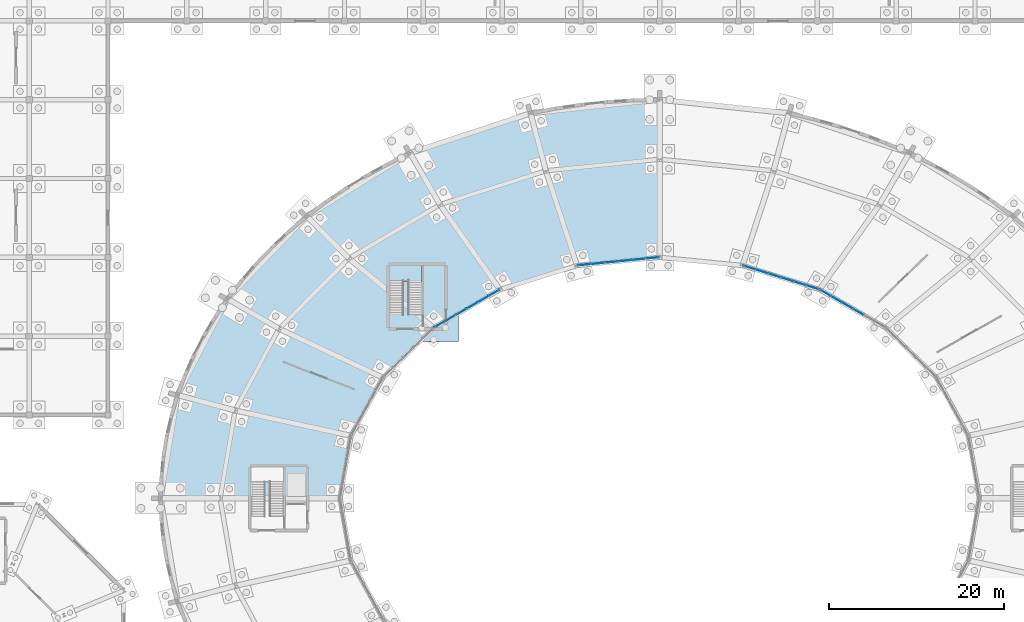
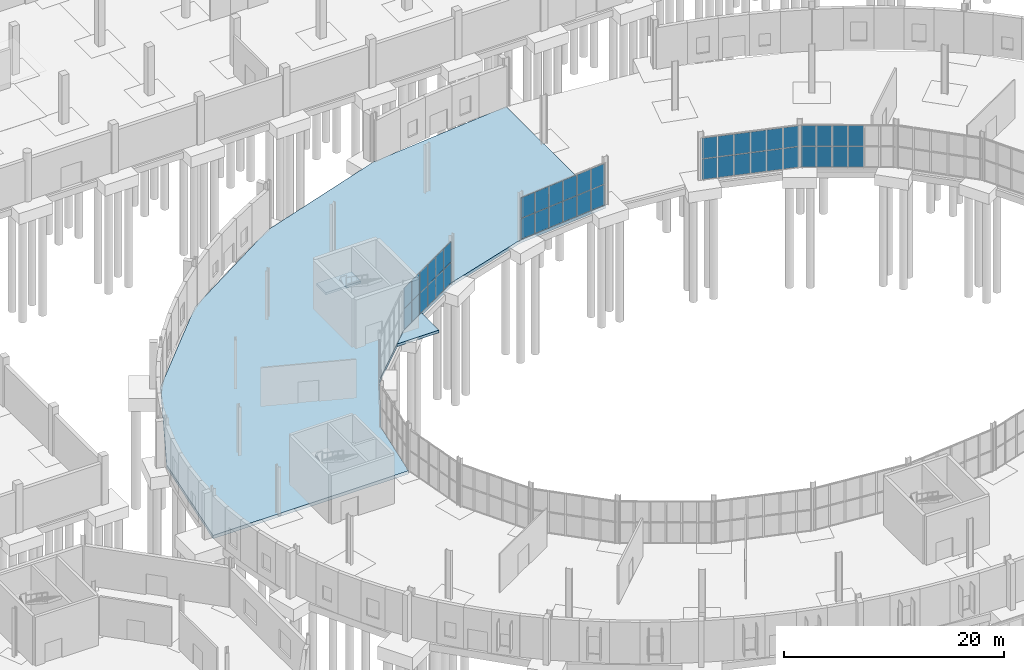
# One storey, part 74 of 118: 44 plates, 3 slabs, 5 elements without a shape of their own.
"""IFC4 building model written with IfcOpenShell, lengths in metres."""

from ifc_helpers import new_model, si_unit, direction, frame, origin, origin_2d, place, context, subcontext, project, spatial, polyline, rectangle, outline, extrude, material, layer, layer_set, type_object, element, aggregate, save


model = new_model("IFC4")

# Units and contexts
model_context = context("Model", 3, precision=1e-05, world=origin(), true_north=direction((0.0, 1.0)))
body_context = subcontext(model_context, "Body", "Model", "MODEL_VIEW")
ifc_project = project(units=[si_unit("LENGTHUNIT", "METRE"), si_unit("AREAUNIT", "SQUARE_METRE"), si_unit("VOLUMEUNIT", "CUBIC_METRE"), si_unit("PLANEANGLEUNIT", "RADIAN"), si_unit("MASSUNIT", "GRAM", prefix="KILO")], contexts=[model_context])

# Site, building, storey
site_placement = place(None, origin())
site = spatial("IfcSite", under=ifc_project, at=site_placement, CompositionType="ELEMENT")
building_placement = place(site_placement, origin())
building = spatial("IfcBuilding", under=site, at=building_placement, Name="Kildeholm Park Wholesale Market", CompositionType="ELEMENT")
storey_placement = place(building_placement, origin())
storey = spatial("IfcBuildingStorey", under=building, at=storey_placement, Name="L00", CompositionType="ELEMENT", Elevation=0.0)

# Curtain wall, plates
ifc_material_1 = material(Name="Anodised aluminium and low-E double-glazed glass", Category="aluminium")
curtain_wall_type = type_object("IfcCurtainWallType", Name="Market hall glazed arcade stick curtain wall CW-01", PredefinedType="NOTDEFINED", material=ifc_material_1)
curtain_wall_1_placement = place(storey_placement, origin())
curtain_wall_1 = element("IfcCurtainWall", 1, at=curtain_wall_1_placement, inside=storey, type_object=curtain_wall_type, Name="Curtain wall CW-V1-IN0-03 CW-0018", PredefinedType="NOTDEFINED")
ifc_material_2 = material(Name="Double-glazed low-E insulated glass", Category="glass")
ifc_layer_1 = layer(ifc_material_2, 0.028076171875)
ifc_layer_set_1 = layer_set([ifc_layer_1], Name="Double-glazed low-E insulated glass")
plate_type = type_object("IfcPlateType", Name="Curtain-wall panel CWP-1 28 mm", PredefinedType="CURTAIN_PANEL", material=ifc_layer_set_1)
plate_1_placement = place(storey_placement, frame((121.6572265625, 110.773193359375, 0.06494140625), z_axis=(0.0, 0.0, 1.0), x_axis=(-0.865742656621, 0.500489412982, 0.0)))
plate_1 = element("IfcPlate", 2, at=plate_1_placement, type_object=plate_type, Name="CW-01 panel 3.1 PLT-0392", PredefinedType="CURTAIN_PANEL", context=body_context, shape_type="SweptSolid", body=[
    extrude(rectangle(XDim=1.376953125, YDim=0.028076171875, at=origin_2d()), origin(), (0.0, 0.0, 1.0), 2.25244140625),
])
plate_2_placement = place(storey_placement, frame((121.6572265625, 110.773193359375, 2.382568359375), z_axis=(0.0, 0.0, 1.0), x_axis=(-0.865742656621, 0.500489412982, 0.0)))
plate_2 = element("IfcPlate", 3, at=plate_2_placement, type_object=plate_type, Name="CW-01 panel 3.2 PLT-0393", PredefinedType="CURTAIN_PANEL", context=body_context, shape_type="SweptSolid", body=[
    extrude(rectangle(XDim=1.376953125, YDim=0.028076171875, at=origin_2d()), origin(), (0.0, 0.0, 1.0), 2.25244140625),
])
plate_3_placement = place(storey_placement, frame((120.408935546875, 111.494873046875, 0.06494140625), z_axis=(0.0, 0.0, 1.0), x_axis=(-0.865742656621, 0.500489412982, 0.0)))
plate_3 = element("IfcPlate", 4, at=plate_3_placement, type_object=plate_type, Name="CW-01 panel 4.1 PLT-0394", PredefinedType="CURTAIN_PANEL", context=body_context, shape_type="SweptSolid", body=[
    extrude(rectangle(XDim=1.376953125, YDim=0.028076171875, at=origin_2d()), origin(), (0.0, 0.0, 1.0), 2.25244140625),
])
plate_4_placement = place(storey_placement, frame((120.408935546875, 111.494873046875, 2.382568359375), z_axis=(0.0, 0.0, 1.0), x_axis=(-0.865742656621, 0.500489412982, 0.0)))
plate_4 = element("IfcPlate", 5, at=plate_4_placement, type_object=plate_type, Name="CW-01 panel 4.2 PLT-0395", PredefinedType="CURTAIN_PANEL", context=body_context, shape_type="SweptSolid", body=[
    extrude(rectangle(XDim=1.376953125, YDim=0.028076171875, at=origin_2d()), origin(), (0.0, 0.0, 1.0), 2.25244140625),
])
plate_5_placement = place(storey_placement, frame((119.160400390625, 112.216552734375, 0.06494140625), z_axis=(0.0, 0.0, 1.0), x_axis=(-0.865742656621, 0.500489412982, 0.0)))
plate_5 = element("IfcPlate", 6, at=plate_5_placement, type_object=plate_type, Name="CW-01 panel 5.1 PLT-0396", PredefinedType="CURTAIN_PANEL", context=body_context, shape_type="SweptSolid", body=[
    extrude(rectangle(XDim=1.376953125, YDim=0.028076171875, at=origin_2d()), origin(), (0.0, 0.0, 1.0), 2.25244140625),
])
plate_6_placement = place(storey_placement, frame((119.160400390625, 112.216552734375, 2.382568359375), z_axis=(0.0, 0.0, 1.0), x_axis=(-0.865742656621, 0.500489412982, 0.0)))
plate_6 = element("IfcPlate", 7, at=plate_6_placement, type_object=plate_type, Name="CW-01 panel 5.2 PLT-0397", PredefinedType="CURTAIN_PANEL", context=body_context, shape_type="SweptSolid", body=[
    extrude(rectangle(XDim=1.376953125, YDim=0.028076171875, at=origin_2d()), origin(), (0.0, 0.0, 1.0), 2.25244140625),
])
plate_7_placement = place(storey_placement, frame((117.92626953125, 112.929931640625, 0.06494140625), z_axis=(0.0, 0.0, 1.0), x_axis=(-0.865742656621, 0.500489412982, 0.0)))
plate_7 = element("IfcPlate", 8, at=plate_7_placement, type_object=plate_type, Name="CW-01 panel 6.1 PLT-0398", PredefinedType="CURTAIN_PANEL", context=body_context, shape_type="SweptSolid", body=[
    extrude(rectangle(XDim=1.344482421875, YDim=0.028076171875, at=origin_2d()), origin(), (0.0, 0.0, 1.0), 2.25244140625),
])
plate_8_placement = place(storey_placement, frame((117.92626953125, 112.929931640625, 2.382568359375), z_axis=(0.0, 0.0, 1.0), x_axis=(-0.865742656621, 0.500489412982, 0.0)))
plate_8 = element("IfcPlate", 9, at=plate_8_placement, type_object=plate_type, Name="CW-01 panel 6.2 PLT-0399", PredefinedType="CURTAIN_PANEL", context=body_context, shape_type="SweptSolid", body=[
    extrude(rectangle(XDim=1.344482421875, YDim=0.028076171875, at=origin_2d()), origin(), (0.0, 0.0, 1.0), 2.25244140625),
])
aggregate(curtain_wall_1, [plate_1, plate_2, plate_3, plate_4, plate_5, plate_6, plate_7, plate_8])

curtain_wall_2_placement = place(storey_placement, origin())
curtain_wall_2 = element("IfcCurtainWall", 10, at=curtain_wall_2_placement, inside=storey, type_object=curtain_wall_type, Name="Curtain wall CW-V1-IN0-04 CW-0023", PredefinedType="NOTDEFINED")
plate_9_placement = place(storey_placement, frame((116.47119140625, 113.562744140625, 0.06494140625), z_axis=(0.0, 0.0, 1.0), x_axis=(-0.954579186683, 0.297957339818, 0.0)))
plate_9 = element("IfcPlate", 11, at=plate_9_placement, type_object=plate_type, Name="CW-01 panel 1.1 PLT-0460", PredefinedType="CURTAIN_PANEL", context=body_context, shape_type="SweptSolid", body=[
    extrude(rectangle(XDim=1.42626953125, YDim=0.028076171875, at=origin_2d()), origin(), (0.0, 0.0, 1.0), 2.25244140625),
])
plate_10_placement = place(storey_placement, frame((116.47119140625, 113.562744140625, 2.382568359375), z_axis=(0.0, 0.0, 1.0), x_axis=(-0.954579186683, 0.297957339818, 0.0)))
plate_10 = element("IfcPlate", 12, at=plate_10_placement, type_object=plate_type, Name="CW-01 panel 1.2 PLT-0461", PredefinedType="CURTAIN_PANEL", context=body_context, shape_type="SweptSolid", body=[
    extrude(rectangle(XDim=1.42626953125, YDim=0.028076171875, at=origin_2d()), origin(), (0.0, 0.0, 1.0), 2.25244140625),
])
plate_11_placement = place(storey_placement, frame((115.0322265625, 114.011962890625, 0.06494140625), z_axis=(0.0, 0.0, 1.0), x_axis=(-0.954579186683, 0.297957339818, 0.0)))
plate_11 = element("IfcPlate", 13, at=plate_11_placement, type_object=plate_type, Name="CW-01 panel 2.1 PLT-0462", PredefinedType="CURTAIN_PANEL", context=body_context, shape_type="SweptSolid", body=[
    extrude(rectangle(XDim=1.458740234375, YDim=0.028076171875, at=origin_2d()), origin(), (0.0, 0.0, 1.0), 2.25244140625),
])
plate_12_placement = place(storey_placement, frame((115.0322265625, 114.011962890625, 2.382568359375), z_axis=(0.0, 0.0, 1.0), x_axis=(-0.954579186683, 0.297957339818, 0.0)))
plate_12 = element("IfcPlate", 14, at=plate_12_placement, type_object=plate_type, Name="CW-01 panel 2.2 PLT-0463", PredefinedType="CURTAIN_PANEL", context=body_context, shape_type="SweptSolid", body=[
    extrude(rectangle(XDim=1.458740234375, YDim=0.028076171875, at=origin_2d()), origin(), (0.0, 0.0, 1.0), 2.25244140625),
])
plate_13_placement = place(storey_placement, frame((113.57763671875, 114.466064453125, 0.06494140625), z_axis=(0.0, 0.0, 1.0), x_axis=(-0.954579186683, 0.297957339818, 0.0)))
plate_13 = element("IfcPlate", 15, at=plate_13_placement, type_object=plate_type, Name="CW-01 panel 3.1 PLT-0464", PredefinedType="CURTAIN_PANEL", context=body_context, shape_type="SweptSolid", body=[
    extrude(rectangle(XDim=1.458740234375, YDim=0.028076171875, at=origin_2d()), origin(), (0.0, 0.0, 1.0), 2.25244140625),
])
plate_14_placement = place(storey_placement, frame((113.57763671875, 114.466064453125, 2.382568359375), z_axis=(0.0, 0.0, 1.0), x_axis=(-0.954579186683, 0.297957339818, 0.0)))
plate_14 = element("IfcPlate", 16, at=plate_14_placement, type_object=plate_type, Name="CW-01 panel 3.2 PLT-0465", PredefinedType="CURTAIN_PANEL", context=body_context, shape_type="SweptSolid", body=[
    extrude(rectangle(XDim=1.458740234375, YDim=0.028076171875, at=origin_2d()), origin(), (0.0, 0.0, 1.0), 2.25244140625),
])
plate_15_placement = place(storey_placement, frame((112.123291015625, 114.919921875, 0.06494140625), z_axis=(0.0, 0.0, 1.0), x_axis=(-0.954579186683, 0.297957339818, 0.0)))
plate_15 = element("IfcPlate", 17, at=plate_15_placement, type_object=plate_type, Name="CW-01 panel 4.1 PLT-0466", PredefinedType="CURTAIN_PANEL", context=body_context, shape_type="SweptSolid", body=[
    extrude(rectangle(XDim=1.458740234375, YDim=0.028076171875, at=origin_2d()), origin(), (0.0, 0.0, 1.0), 2.25244140625),
])
plate_16_placement = place(storey_placement, frame((112.123291015625, 114.919921875, 2.382568359375), z_axis=(0.0, 0.0, 1.0), x_axis=(-0.954579186683, 0.297957339818, 0.0)))
plate_16 = element("IfcPlate", 18, at=plate_16_placement, type_object=plate_type, Name="CW-01 panel 4.2 PLT-0467", PredefinedType="CURTAIN_PANEL", context=body_context, shape_type="SweptSolid", body=[
    extrude(rectangle(XDim=1.458740234375, YDim=0.028076171875, at=origin_2d()), origin(), (0.0, 0.0, 1.0), 2.25244140625),
])
plate_17_placement = place(storey_placement, frame((110.668701171875, 115.3740234375, 0.06494140625), z_axis=(0.0, 0.0, 1.0), x_axis=(-0.954579186683, 0.297957339818, 0.0)))
plate_17 = element("IfcPlate", 19, at=plate_17_placement, type_object=plate_type, Name="CW-01 panel 5.1 PLT-0468", PredefinedType="CURTAIN_PANEL", context=body_context, shape_type="SweptSolid", body=[
    extrude(rectangle(XDim=1.458740234375, YDim=0.028076171875, at=origin_2d()), origin(), (0.0, 0.0, 1.0), 2.25244140625),
])
plate_18_placement = place(storey_placement, frame((110.668701171875, 115.3740234375, 2.382568359375), z_axis=(0.0, 0.0, 1.0), x_axis=(-0.954579186683, 0.297957339818, 0.0)))
plate_18 = element("IfcPlate", 20, at=plate_18_placement, type_object=plate_type, Name="CW-01 panel 5.2 PLT-0469", PredefinedType="CURTAIN_PANEL", context=body_context, shape_type="SweptSolid", body=[
    extrude(rectangle(XDim=1.458740234375, YDim=0.028076171875, at=origin_2d()), origin(), (0.0, 0.0, 1.0), 2.25244140625),
])
plate_19_placement = place(storey_placement, frame((109.229736328125, 115.8232421875, 0.06494140625), z_axis=(0.0, 0.0, 1.0), x_axis=(-0.954579186683, 0.297957339818, 0.0)))
plate_19 = element("IfcPlate", 21, at=plate_19_placement, type_object=plate_type, Name="CW-01 panel 6.1 PLT-0470", PredefinedType="CURTAIN_PANEL", context=body_context, shape_type="SweptSolid", body=[
    extrude(rectangle(XDim=1.42626953125, YDim=0.028076171875, at=origin_2d()), origin(), (0.0, 0.0, 1.0), 2.25244140625),
])
plate_20_placement = place(storey_placement, frame((109.229736328125, 115.8232421875, 2.382568359375), z_axis=(0.0, 0.0, 1.0), x_axis=(-0.954579186683, 0.297957339818, 0.0)))
plate_20 = element("IfcPlate", 22, at=plate_20_placement, type_object=plate_type, Name="CW-01 panel 6.2 PLT-0471", PredefinedType="CURTAIN_PANEL", context=body_context, shape_type="SweptSolid", body=[
    extrude(rectangle(XDim=1.42626953125, YDim=0.028076171875, at=origin_2d()), origin(), (0.0, 0.0, 1.0), 2.25244140625),
])
aggregate(curtain_wall_2, [plate_9, plate_10, plate_11, plate_12, plate_13, plate_14, plate_15, plate_16, plate_17, plate_18, plate_19, plate_20])

curtain_wall_3_placement = place(storey_placement, origin())
curtain_wall_3 = element("IfcCurtainWall", 23, at=curtain_wall_3_placement, inside=storey, type_object=curtain_wall_type, Name="Curtain wall CW-V1-IN0-06 CW-0032", PredefinedType="NOTDEFINED")
plate_21_placement = place(storey_placement, frame((98.1630859375, 116.9208984375, 0.06494140625), z_axis=(0.0, 0.0, 1.0), x_axis=(-0.995118887444, -0.098683331174, 0.0)))
plate_21 = element("IfcPlate", 24, at=plate_21_placement, type_object=plate_type, Name="CW-01 panel 1.1 PLT-0596", PredefinedType="CURTAIN_PANEL", context=body_context, shape_type="SweptSolid", body=[
    extrude(rectangle(XDim=1.471435546875, YDim=0.028076171875, at=origin_2d()), origin(), (0.0, 0.0, 1.0), 2.25244140625),
])
plate_22_placement = place(storey_placement, frame((98.1630859375, 116.9208984375, 2.382568359375), z_axis=(0.0, 0.0, 1.0), x_axis=(-0.995118887444, -0.098683331174, 0.0)))
plate_22 = element("IfcPlate", 25, at=plate_22_placement, type_object=plate_type, Name="CW-01 panel 1.2 PLT-0597", PredefinedType="CURTAIN_PANEL", context=body_context, shape_type="SweptSolid", body=[
    extrude(rectangle(XDim=1.471435546875, YDim=0.028076171875, at=origin_2d()), origin(), (0.0, 0.0, 1.0), 2.25244140625),
])
plate_23_placement = place(storey_placement, frame((96.617919921875, 116.767822265625, 0.06494140625), z_axis=(0.0, 0.0, 1.0), x_axis=(-0.995118887444, -0.098683331174, 0.0)))
plate_23 = element("IfcPlate", 26, at=plate_23_placement, type_object=plate_type, Name="CW-01 panel 2.1 PLT-0598", PredefinedType="CURTAIN_PANEL", context=body_context, shape_type="SweptSolid", body=[
    extrude(rectangle(XDim=1.50390625, YDim=0.028076171875, at=origin_2d()), origin(), (0.0, 0.0, 1.0), 2.25244140625),
])
plate_24_placement = place(storey_placement, frame((96.617919921875, 116.767822265625, 2.382568359375), z_axis=(0.0, 0.0, 1.0), x_axis=(-0.995118887444, -0.098683331174, 0.0)))
plate_24 = element("IfcPlate", 27, at=plate_24_placement, type_object=plate_type, Name="CW-01 panel 2.2 PLT-0599", PredefinedType="CURTAIN_PANEL", context=body_context, shape_type="SweptSolid", body=[
    extrude(rectangle(XDim=1.50390625, YDim=0.028076171875, at=origin_2d()), origin(), (0.0, 0.0, 1.0), 2.25244140625),
])
plate_25_placement = place(storey_placement, frame((95.056640625, 116.613037109375, 0.06494140625), z_axis=(0.0, 0.0, 1.0), x_axis=(-0.995118887444, -0.098683331174, 0.0)))
plate_25 = element("IfcPlate", 28, at=plate_25_placement, type_object=plate_type, Name="CW-01 panel 3.1 PLT-0600", PredefinedType="CURTAIN_PANEL", context=body_context, shape_type="SweptSolid", body=[
    extrude(rectangle(XDim=1.50390625, YDim=0.028076171875, at=origin_2d()), origin(), (0.0, 0.0, 1.0), 2.25244140625),
])
plate_26_placement = place(storey_placement, frame((95.056640625, 116.613037109375, 2.382568359375), z_axis=(0.0, 0.0, 1.0), x_axis=(-0.995118887444, -0.098683331174, 0.0)))
plate_26 = element("IfcPlate", 29, at=plate_26_placement, type_object=plate_type, Name="CW-01 panel 3.2 PLT-0601", PredefinedType="CURTAIN_PANEL", context=body_context, shape_type="SweptSolid", body=[
    extrude(rectangle(XDim=1.50390625, YDim=0.028076171875, at=origin_2d()), origin(), (0.0, 0.0, 1.0), 2.25244140625),
])
plate_27_placement = place(storey_placement, frame((93.495361328125, 116.4580078125, 0.06494140625), z_axis=(0.0, 0.0, 1.0), x_axis=(-0.995118887444, -0.098683331174, 0.0)))
plate_27 = element("IfcPlate", 30, at=plate_27_placement, type_object=plate_type, Name="CW-01 panel 4.1 PLT-0602", PredefinedType="CURTAIN_PANEL", context=body_context, shape_type="SweptSolid", body=[
    extrude(rectangle(XDim=1.50390625, YDim=0.028076171875, at=origin_2d()), origin(), (0.0, 0.0, 1.0), 2.25244140625),
])
plate_28_placement = place(storey_placement, frame((93.495361328125, 116.4580078125, 2.382568359375), z_axis=(0.0, 0.0, 1.0), x_axis=(-0.995118887444, -0.098683331174, 0.0)))
plate_28 = element("IfcPlate", 31, at=plate_28_placement, type_object=plate_type, Name="CW-01 panel 4.2 PLT-0603", PredefinedType="CURTAIN_PANEL", context=body_context, shape_type="SweptSolid", body=[
    extrude(rectangle(XDim=1.50390625, YDim=0.028076171875, at=origin_2d()), origin(), (0.0, 0.0, 1.0), 2.25244140625),
])
plate_29_placement = place(storey_placement, frame((91.93408203125, 116.30322265625, 0.06494140625), z_axis=(0.0, 0.0, 1.0), x_axis=(-0.995118887444, -0.098683331174, 0.0)))
plate_29 = element("IfcPlate", 32, at=plate_29_placement, type_object=plate_type, Name="CW-01 panel 5.1 PLT-0604", PredefinedType="CURTAIN_PANEL", context=body_context, shape_type="SweptSolid", body=[
    extrude(rectangle(XDim=1.50390625, YDim=0.028076171875, at=origin_2d()), origin(), (0.0, 0.0, 1.0), 2.25244140625),
])
plate_30_placement = place(storey_placement, frame((91.93408203125, 116.30322265625, 2.382568359375), z_axis=(0.0, 0.0, 1.0), x_axis=(-0.995118887444, -0.098683331174, 0.0)))
plate_30 = element("IfcPlate", 33, at=plate_30_placement, type_object=plate_type, Name="CW-01 panel 5.2 PLT-0605", PredefinedType="CURTAIN_PANEL", context=body_context, shape_type="SweptSolid", body=[
    extrude(rectangle(XDim=1.50390625, YDim=0.028076171875, at=origin_2d()), origin(), (0.0, 0.0, 1.0), 2.25244140625),
])
plate_31_placement = place(storey_placement, frame((90.388916015625, 116.14990234375, 0.06494140625), z_axis=(0.0, 0.0, 1.0), x_axis=(-0.995118887444, -0.098683331174, 0.0)))
plate_31 = element("IfcPlate", 34, at=plate_31_placement, type_object=plate_type, Name="CW-01 panel 6.1 PLT-0606", PredefinedType="CURTAIN_PANEL", context=body_context, shape_type="SweptSolid", body=[
    extrude(rectangle(XDim=1.471435546875, YDim=0.028076171875, at=origin_2d()), origin(), (0.0, 0.0, 1.0), 2.25244140625),
])
plate_32_placement = place(storey_placement, frame((90.388916015625, 116.14990234375, 2.382568359375), z_axis=(0.0, 0.0, 1.0), x_axis=(-0.995118887444, -0.098683331174, 0.0)))
plate_32 = element("IfcPlate", 35, at=plate_32_placement, type_object=plate_type, Name="CW-01 panel 6.2 PLT-0607", PredefinedType="CURTAIN_PANEL", context=body_context, shape_type="SweptSolid", body=[
    extrude(rectangle(XDim=1.471435546875, YDim=0.028076171875, at=origin_2d()), origin(), (0.0, 0.0, 1.0), 2.25244140625),
])
aggregate(curtain_wall_3, [plate_21, plate_22, plate_23, plate_24, plate_25, plate_26, plate_27, plate_28, plate_29, plate_30, plate_31, plate_32])

curtain_wall_4_placement = place(storey_placement, origin())
curtain_wall_4 = element("IfcCurtainWall", 36, at=curtain_wall_4_placement, inside=storey, type_object=curtain_wall_type, Name="Curtain wall CW-V1-IN0-08 CW-0041", PredefinedType="NOTDEFINED")
plate_33_placement = place(storey_placement, frame((80.07373046875, 112.929931640625, 0.06494140625), z_axis=(0.0, 0.0, 1.0), x_axis=(-0.865742656621, -0.500489412982, 0.0)))
plate_33 = element("IfcPlate", 37, at=plate_33_placement, type_object=plate_type, Name="CW-01 panel 1.1 PLT-0726", PredefinedType="CURTAIN_PANEL", context=body_context, shape_type="SweptSolid", body=[
    extrude(rectangle(XDim=1.344482421875, YDim=0.028076171875, at=origin_2d()), origin(), (0.0, 0.0, 1.0), 2.25244140625),
])
plate_34_placement = place(storey_placement, frame((80.07373046875, 112.929931640625, 2.382568359375), z_axis=(0.0, 0.0, 1.0), x_axis=(-0.865742656621, -0.500489412982, 0.0)))
plate_34 = element("IfcPlate", 38, at=plate_34_placement, type_object=plate_type, Name="CW-01 panel 1.2 PLT-0727", PredefinedType="CURTAIN_PANEL", context=body_context, shape_type="SweptSolid", body=[
    extrude(rectangle(XDim=1.344482421875, YDim=0.028076171875, at=origin_2d()), origin(), (0.0, 0.0, 1.0), 2.25244140625),
])
plate_35_placement = place(storey_placement, frame((78.839599609375, 112.216552734375, 0.06494140625), z_axis=(0.0, 0.0, 1.0), x_axis=(-0.865742656621, -0.500489412982, 0.0)))
plate_35 = element("IfcPlate", 39, at=plate_35_placement, type_object=plate_type, Name="CW-01 panel 2.1 PLT-0728", PredefinedType="CURTAIN_PANEL", context=body_context, shape_type="SweptSolid", body=[
    extrude(rectangle(XDim=1.376953125, YDim=0.028076171875, at=origin_2d()), origin(), (0.0, 0.0, 1.0), 2.25244140625),
])
plate_36_placement = place(storey_placement, frame((78.839599609375, 112.216552734375, 2.382568359375), z_axis=(0.0, 0.0, 1.0), x_axis=(-0.865742656621, -0.500489412982, 0.0)))
plate_36 = element("IfcPlate", 40, at=plate_36_placement, type_object=plate_type, Name="CW-01 panel 2.2 PLT-0729", PredefinedType="CURTAIN_PANEL", context=body_context, shape_type="SweptSolid", body=[
    extrude(rectangle(XDim=1.376953125, YDim=0.028076171875, at=origin_2d()), origin(), (0.0, 0.0, 1.0), 2.25244140625),
])
plate_37_placement = place(storey_placement, frame((77.591064453125, 111.494873046875, 0.06494140625), z_axis=(0.0, 0.0, 1.0), x_axis=(-0.865742656621, -0.500489412982, 0.0)))
plate_37 = element("IfcPlate", 41, at=plate_37_placement, type_object=plate_type, Name="CW-01 panel 3.1 PLT-0730", PredefinedType="CURTAIN_PANEL", context=body_context, shape_type="SweptSolid", body=[
    extrude(rectangle(XDim=1.376953125, YDim=0.028076171875, at=origin_2d()), origin(), (0.0, 0.0, 1.0), 2.25244140625),
])
plate_38_placement = place(storey_placement, frame((77.591064453125, 111.494873046875, 2.382568359375), z_axis=(0.0, 0.0, 1.0), x_axis=(-0.865742656621, -0.500489412982, 0.0)))
plate_38 = element("IfcPlate", 42, at=plate_38_placement, type_object=plate_type, Name="CW-01 panel 3.2 PLT-0731", PredefinedType="CURTAIN_PANEL", context=body_context, shape_type="SweptSolid", body=[
    extrude(rectangle(XDim=1.376953125, YDim=0.028076171875, at=origin_2d()), origin(), (0.0, 0.0, 1.0), 2.25244140625),
])
plate_39_placement = place(storey_placement, frame((76.3427734375, 110.773193359375, 0.06494140625), z_axis=(0.0, 0.0, 1.0), x_axis=(-0.865742656621, -0.500489412982, 0.0)))
plate_39 = element("IfcPlate", 43, at=plate_39_placement, type_object=plate_type, Name="CW-01 panel 4.1 PLT-0732", PredefinedType="CURTAIN_PANEL", context=body_context, shape_type="SweptSolid", body=[
    extrude(rectangle(XDim=1.376953125, YDim=0.028076171875, at=origin_2d()), origin(), (0.0, 0.0, 1.0), 2.25244140625),
])
plate_40_placement = place(storey_placement, frame((76.3427734375, 110.773193359375, 2.382568359375), z_axis=(0.0, 0.0, 1.0), x_axis=(-0.865742656621, -0.500489412982, 0.0)))
plate_40 = element("IfcPlate", 44, at=plate_40_placement, type_object=plate_type, Name="CW-01 panel 4.2 PLT-0733", PredefinedType="CURTAIN_PANEL", context=body_context, shape_type="SweptSolid", body=[
    extrude(rectangle(XDim=1.376953125, YDim=0.028076171875, at=origin_2d()), origin(), (0.0, 0.0, 1.0), 2.25244140625),
])
plate_41_placement = place(storey_placement, frame((75.094482421875, 110.051513671875, 0.06494140625), z_axis=(0.0, 0.0, 1.0), x_axis=(-0.865742656621, -0.500489412982, 0.0)))
plate_41 = element("IfcPlate", 45, at=plate_41_placement, type_object=plate_type, Name="CW-01 panel 5.1 PLT-0734", PredefinedType="CURTAIN_PANEL", context=body_context, shape_type="SweptSolid", body=[
    extrude(rectangle(XDim=1.376953125, YDim=0.028076171875, at=origin_2d()), origin(), (0.0, 0.0, 1.0), 2.25244140625),
])
plate_42_placement = place(storey_placement, frame((75.094482421875, 110.051513671875, 2.382568359375), z_axis=(0.0, 0.0, 1.0), x_axis=(-0.865742656621, -0.500489412982, 0.0)))
plate_42 = element("IfcPlate", 46, at=plate_42_placement, type_object=plate_type, Name="CW-01 panel 5.2 PLT-0735", PredefinedType="CURTAIN_PANEL", context=body_context, shape_type="SweptSolid", body=[
    extrude(rectangle(XDim=1.376953125, YDim=0.028076171875, at=origin_2d()), origin(), (0.0, 0.0, 1.0), 2.25244140625),
])
plate_43_placement = place(storey_placement, frame((73.8603515625, 109.337890625, 0.06494140625), z_axis=(0.0, 0.0, 1.0), x_axis=(-0.865742656621, -0.500489412982, 0.0)))
plate_43 = element("IfcPlate", 47, at=plate_43_placement, type_object=plate_type, Name="CW-01 panel 6.1 PLT-0736", PredefinedType="CURTAIN_PANEL", context=body_context, shape_type="SweptSolid", body=[
    extrude(rectangle(XDim=1.344482421875, YDim=0.028076171875, at=origin_2d()), origin(), (0.0, 0.0, 1.0), 2.25244140625),
])
plate_44_placement = place(storey_placement, frame((73.8603515625, 109.337890625, 2.382568359375), z_axis=(0.0, 0.0, 1.0), x_axis=(-0.865742656621, -0.500489412982, 0.0)))
plate_44 = element("IfcPlate", 48, at=plate_44_placement, type_object=plate_type, Name="CW-01 panel 6.2 PLT-0737", PredefinedType="CURTAIN_PANEL", context=body_context, shape_type="SweptSolid", body=[
    extrude(rectangle(XDim=1.344482421875, YDim=0.028076171875, at=origin_2d()), origin(), (0.0, 0.0, 1.0), 2.25244140625),
])
aggregate(curtain_wall_4, [plate_33, plate_34, plate_35, plate_36, plate_37, plate_38, plate_39, plate_40, plate_41, plate_42, plate_43, plate_44])

# Slabs
ifc_material_3 = material(Name="Concrete C35/45", Category="concrete")
ifc_layer_2 = layer(ifc_material_3, 0.300048828125)
ifc_layer_set_2 = layer_set([ifc_layer_2], Name="Concrete C35/45")
slab_type_1 = type_object("IfcSlabType", Name="Slab S-BS1 300 mm", PredefinedType="BASESLAB", material=ifc_layer_set_2)
slab_1_placement = place(storey_placement, frame((0.0, 0.0, -0.300048828125)))
element("IfcSlab", 49, at=slab_1_placement, inside=storey, type_object=slab_type_1, Name="Core C11 ground base pad SLB-0462", PredefinedType="BASESLAB", context=body_context, shape_type="SweptSolid", body=[
    extrude(outline(polyline([(76.0, 107.39990234375), (71.6240234375, 107.39990234375), (73.194091796875, 108.94091796875), (76.0, 110.56396484375), (76.0, 107.39990234375)])), origin(), (0.0, 0.0, 1.0), 0.300048828125),
])
ifc_material_4 = material(Name="Concrete C40/50", Category="concrete")
ifc_layer_3 = layer(ifc_material_4, 0.360107421875)
ifc_layer_set_3 = layer_set([ifc_layer_3], Name="Concrete C40/50")
slab_type_2 = type_object("IfcSlabType", Name="Slab S-BS3 360 mm", PredefinedType="BASESLAB", material=ifc_layer_set_3)
slab_2_placement = place(storey_placement, frame((0.0, 0.0, -0.360107421875)))
element("IfcSlab", 50, at=slab_2_placement, inside=storey, type_object=slab_type_2, Name="Produce hall ground slab quadrant 2 SLB-0004", PredefinedType="BASESLAB", context=body_context, shape_type="SweptSolid", body=[
    extrude(outline(polyline([(99.0, 135.0), (84.2470703125, 133.449951171875), (70.5, 128.904052734375), (58.695068359375, 121.673095703125), (49.636962890625, 112.25), (43.94189453125, 101.27587890625), (42.0, 89.5), (62.5, 89.5), (63.743896484375, 96.617919921875), (67.389892578125, 103.25), (73.19091796875, 108.945068359375), (80.75, 113.31591796875), (89.552978515625, 116.06298828125), (99.0, 117.0), (99.0, 135.0)])), origin(), (0.0, 0.0, 1.0), 0.360107421875),
])

# Stair, slab
stair_type = type_object("IfcStairType", Name="Protected core escape stair ST-CR1", PredefinedType="HALF_TURN_STAIR", material=ifc_material_3)
stair_placement = place(storey_placement, origin())
stair = element("IfcStair", 51, at=stair_placement, inside=storey, type_object=stair_type, Name="Escape stair C11 L00 STR-0026", PredefinedType="HALF_TURN_STAIR")
ifc_layer_4 = layer(ifc_material_3, 0.239990234375)
ifc_layer_set_4 = layer_set([ifc_layer_4], Name="Concrete C35/45")
slab_type_3 = type_object("IfcSlabType", Name="Stair landing slab S-LD1 240 mm", PredefinedType="LANDING", material=ifc_layer_set_4)
slab_3_placement = place(storey_placement, frame((0.0, 0.0, 2.4599609375)))
slab_3 = element("IfcSlab", 52, at=slab_3_placement, type_object=slab_type_3, Name="ST-11-00 landing 1 SLB-0463", PredefinedType="LANDING", context=body_context, shape_type="SweptSolid", body=[
    extrude(outline(polyline([(68.14990234375, 114.300048828125), (71.830078125, 114.320068359375), (71.830078125, 116.050048828125), (68.14990234375, 116.050048828125), (68.14990234375, 114.300048828125)])), origin(), (0.0, 0.0, 1.0), 0.239990234375),
])
aggregate(stair, [slab_3])

save(model, "model.ifc")
